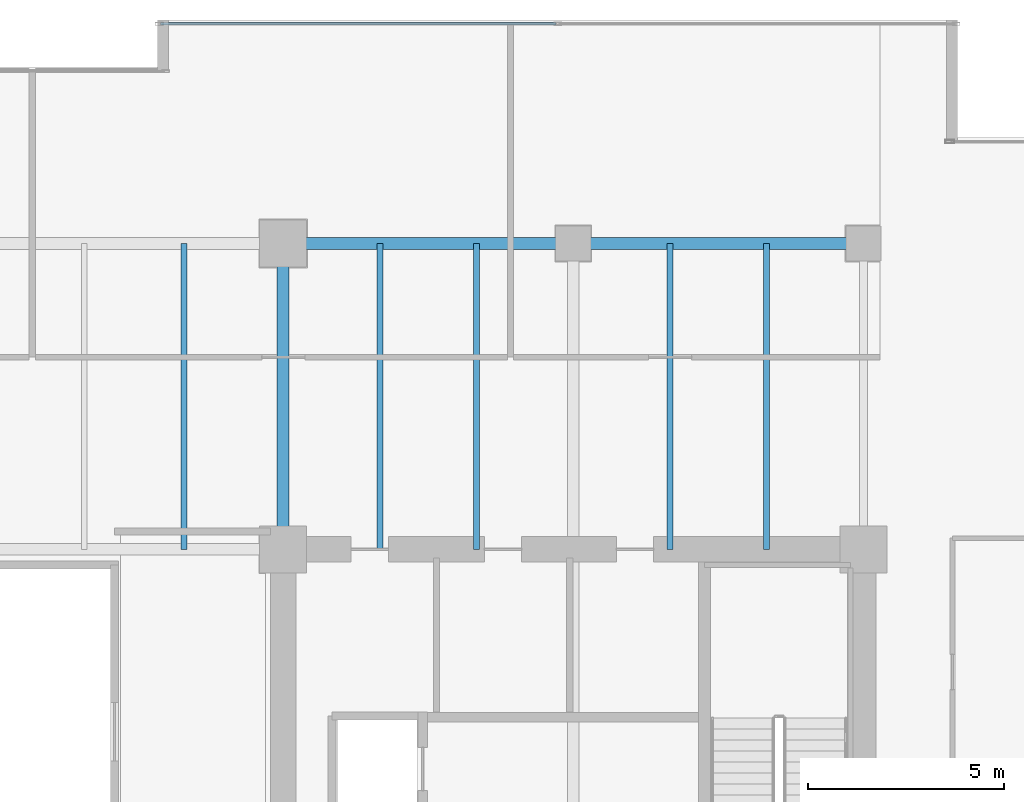
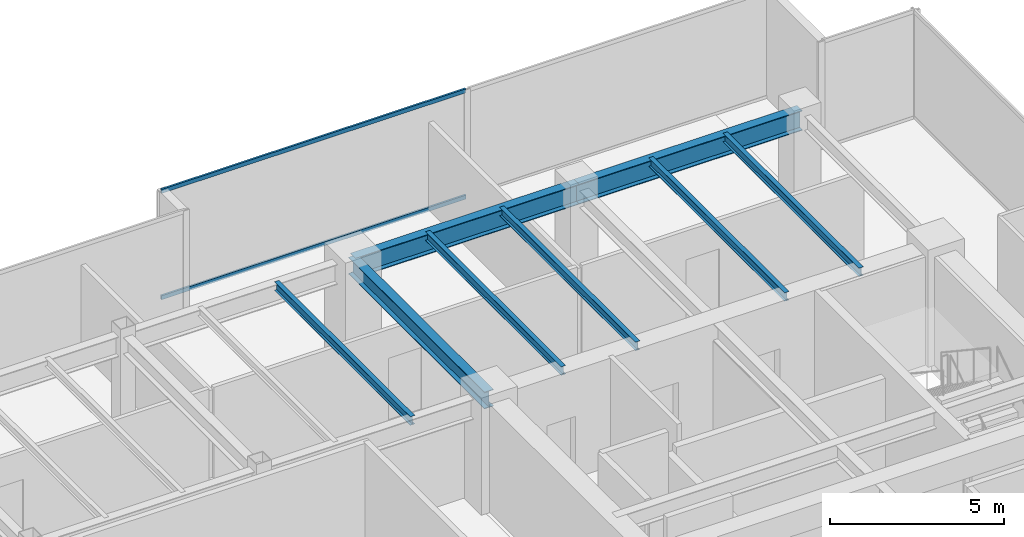
# One storey, part 19 of 33: 8 beams, 2 members, 1 element without a shape of its own.
"""IFC4 building model written with IfcOpenShell, lengths in metres."""

from ifc_helpers import new_model, si_unit, direction, frame, origin, origin_2d, place, context, subcontext, project, spatial, hollow_rectangle, i_section, extrude, source, transform, mapped, material, layer, layer_set, material_profile, profile_set, type_object, type_shapes, element, aggregate, save


model = new_model("IFC4")

# Units and contexts
model_context = context("Model", 3, precision=1e-05, world=origin(), true_north=direction((0.0, 1.0)))
body_context = subcontext(model_context, "Body", "Model", "MODEL_VIEW")
ifc_project = project(units=[si_unit("LENGTHUNIT", "METRE"), si_unit("AREAUNIT", "SQUARE_METRE"), si_unit("VOLUMEUNIT", "CUBIC_METRE"), si_unit("PLANEANGLEUNIT", "RADIAN"), si_unit("MASSUNIT", "GRAM", prefix="KILO")], contexts=[model_context])

# Site, building, storey
site_placement = place(None, origin())
site = spatial("IfcSite", under=ifc_project, at=site_placement, CompositionType="ELEMENT")
building_placement = place(site_placement, origin())
building = spatial("IfcBuilding", under=site, at=building_placement, Name="Haelvirn Gate Laboratories", CompositionType="ELEMENT")
storey_placement = place(building_placement, frame((0.0, 0.0, 166.60009765625)))
storey = spatial("IfcBuildingStorey", under=building, at=storey_placement, Name="L40", CompositionType="ELEMENT", Elevation=166.60009765625)

# Beams
ifc_material_1 = material(Name="Steel SM355", Category="steel")
ifc_material_profile_1 = material_profile(ifc_material_1, i_section(OverallWidth=0.300048828125, OverallDepth=0.699951171875, WebThickness=0.012939453125, FlangeThickness=0.02392578125, at=origin_2d()), Name="H-700x300x13x24")
ifc_profile_set_1 = profile_set([ifc_material_profile_1], Name="Steel SM355")
beam_type_1 = type_object("IfcBeamType", Name="BM-G-700", PredefinedType="BEAM", material=ifc_profile_set_1)
shared_shape_1 = source(origin(), body_context, "Body", "SweptSolid", [
    extrude(i_section(OverallWidth=0.300048828125, OverallDepth=0.699951171875, WebThickness=0.012939453125, FlangeThickness=0.02392578125, at=origin_2d()), origin(), (0.0, 0.0, 1.0), 7.39990234375),
])
type_shapes(beam_type_1, [shared_shape_1])
for number, where, z_axis, x_axis, name in (
    (1, (52.60009765625, 41.60009765625, 3.43994140625), (1.0, 0.0, 0.0), (0.0, 1.0, 0.0), "L40 Primary Girder Y41.6 (52.6-60.0)"),
    (2, (60.0, 41.60009765625, 3.43994140625), (1.0, 0.0, 0.0), (0.0, 1.0, 0.0), "L40 Primary Girder Y41.6 (60.0-67.4)"),
):
    element("IfcBeam", number, at=place(storey_placement, frame(where, z_axis=z_axis, x_axis=x_axis)), inside=storey, type_object=beam_type_1, Name=name, PredefinedType="BEAM", context=body_context, shape_type="MappedRepresentation", body=[
        mapped(shared_shape_1, transform((0.0, 0.0, 0.0), scale=1.0)),
    ])
ifc_material_profile_2 = material_profile(ifc_material_1, i_section(OverallWidth=0.14990234375, OverallDepth=0.300048828125, WebThickness=0.006591796875, FlangeThickness=0.009033203125, at=origin_2d()), Name="H-300x150x6.5x9")
ifc_profile_set_2 = profile_set([ifc_material_profile_2], Name="Steel SM355")
beam_type_2 = type_object("IfcBeamType", Name="BM-J-300", PredefinedType="JOIST", material=ifc_profile_set_2)
shared_shape_2 = source(origin(), body_context, "Body", "SweptSolid", [
    extrude(i_section(OverallWidth=0.14990234375, OverallDepth=0.300048828125, WebThickness=0.006591796875, FlangeThickness=0.009033203125, at=origin_2d()), origin(), (0.0, 0.0, 1.0), 7.800048828125),
])
type_shapes(beam_type_2, [shared_shape_2])
for number, where, z_axis, x_axis, name in (
    (3, (50.070068359375, 33.800048828125, 3.639892578125), (0.0, 1.0, 0.0), (-1.0, 0.0, 0.0), "L40 Composite Lab Joist North X50.07"),
    (4, (55.070068359375, 33.800048828125, 3.639892578125), (0.0, 1.0, 0.0), (-1.0, 0.0, 0.0), "L40 Composite Lab Joist North X55.07"),
    (5, (57.530029296875, 33.800048828125, 3.639892578125), (0.0, 1.0, 0.0), (-1.0, 0.0, 0.0), "L40 Composite Lab Joist North X57.53"),
    (6, (62.469970703125, 33.800048828125, 3.639892578125), (0.0, 1.0, 0.0), (-1.0, 0.0, 0.0), "L40 Composite Lab Joist North X62.47"),
    (7, (64.929931640625, 33.800048828125, 3.639892578125), (0.0, 1.0, 0.0), (-1.0, 0.0, 0.0), "L40 Composite Lab Joist North X64.93"),
):
    element("IfcBeam", number, at=place(storey_placement, frame(where, z_axis=z_axis, x_axis=x_axis)), inside=storey, type_object=beam_type_2, Name=name, PredefinedType="JOIST", context=body_context, shape_type="MappedRepresentation", body=[
        mapped(shared_shape_2, transform((0.0, 0.0, 0.0), scale=1.0)),
    ])
ifc_material_profile_3 = material_profile(ifc_material_1, i_section(OverallWidth=0.300048828125, OverallDepth=0.587890625, WebThickness=0.011962890625, FlangeThickness=0.02001953125, at=origin_2d()), Name="H-588x300x12x20")
ifc_profile_set_3 = profile_set([ifc_material_profile_3], Name="Steel SM355")
beam_type_3 = type_object("IfcBeamType", Name="BM-G-588", PredefinedType="BEAM", material=ifc_profile_set_3)
shared_shape_3 = source(origin(), body_context, "Body", "SweptSolid", [
    extrude(i_section(OverallWidth=0.300048828125, OverallDepth=0.587890625, WebThickness=0.011962890625, FlangeThickness=0.02001953125, at=origin_2d()), origin(), (0.0, 0.0, 1.0), 7.800048828125),
])
type_shapes(beam_type_3, [shared_shape_3])
beam_placement = place(storey_placement, frame((52.60009765625, 33.800048828125, 3.495849609375), z_axis=(0.0, 1.0, 0.0), x_axis=(-1.0, 0.0, 0.0)))
element("IfcBeam", 8, at=beam_placement, inside=storey, type_object=beam_type_3, Name="L40 Frame Girder X52.6 (33.8-41.6)", PredefinedType="BEAM", context=body_context, shape_type="MappedRepresentation", body=[
    mapped(shared_shape_3, transform((0.0, 0.0, 0.0), scale=1.0)),
])

# Curtain wall, members
ifc_material_2 = material(Name="Anodised bronze unitised aluminium & triple low-E glass", Category="aluminium")
ifc_layer = layer(ifc_material_2, 0.179931640625, Name="CW-SYS-3")
ifc_layer_set = layer_set([ifc_layer], Name="Anodised bronze unitised aluminium & triple low-E glass")
curtain_wall_type = type_object("IfcCurtainWallType", Name="CW-SYS-3", PredefinedType="NOTDEFINED", material=ifc_layer_set)
curtain_wall_placement = place(storey_placement, origin())
curtain_wall = element("IfcCurtainWall", 9, at=curtain_wall_placement, inside=storey, type_object=curtain_wall_type, Name="L40 Unitised Curtain Wall CW-L40-P0-E10-1", PredefinedType="NOTDEFINED")
ifc_material_3 = material(Name="Extruded aluminium 6063-T6 (anodised bronze)", Category="aluminium")
ifc_material_profile_4 = material_profile(ifc_material_3, hollow_rectangle(XDim=0.06494140625, YDim=0.139892578125, WallThickness=0.00390625, at=origin_2d()), Name="CWT-140x65x4")
ifc_profile_set_4 = profile_set([ifc_material_profile_4], Name="Extruded aluminium 6063-T6 (anodised bronze)")
member_type = type_object("IfcMemberType", Name="CWT-T140", PredefinedType="USERDEFINED", material=ifc_profile_set_4)
shared_shape_4 = source(origin(), body_context, "Body", "SweptSolid", [
    extrude(hollow_rectangle(XDim=0.06494140625, YDim=0.139892578125, WallThickness=0.00390625, at=origin_2d()), origin(), (0.0, 0.0, 1.0), 10.08740234375),
])
type_shapes(member_type, [shared_shape_4])
member_1_placement = place(storey_placement, frame((49.47509765625, 47.199951171875, 0.032470703125), z_axis=(1.0, 0.0, 0.0), x_axis=(0.0, 1.0, 0.0)))
member_1 = element("IfcMember", 10, at=member_1_placement, type_object=member_type, Name="CW3 transom 1.1", ObjectType="TRANSOM", PredefinedType="USERDEFINED", context=body_context, shape_type="MappedRepresentation", body=[
    mapped(shared_shape_4, transform((0.0, 0.0, 0.0), scale=1.0)),
])
member_2_placement = place(storey_placement, frame((49.47509765625, 47.199951171875, 3.75732421875), z_axis=(1.0, 0.0, 0.0), x_axis=(0.0, 1.0, 0.0)))
member_2 = element("IfcMember", 11, at=member_2_placement, type_object=member_type, Name="CW3 transom 1.2", ObjectType="TRANSOM", PredefinedType="USERDEFINED", context=body_context, shape_type="MappedRepresentation", body=[
    mapped(shared_shape_4, transform((0.0, 0.0, 0.0), scale=1.0)),
])
aggregate(curtain_wall, [member_1, member_2])

save(model, "model.ifc")
